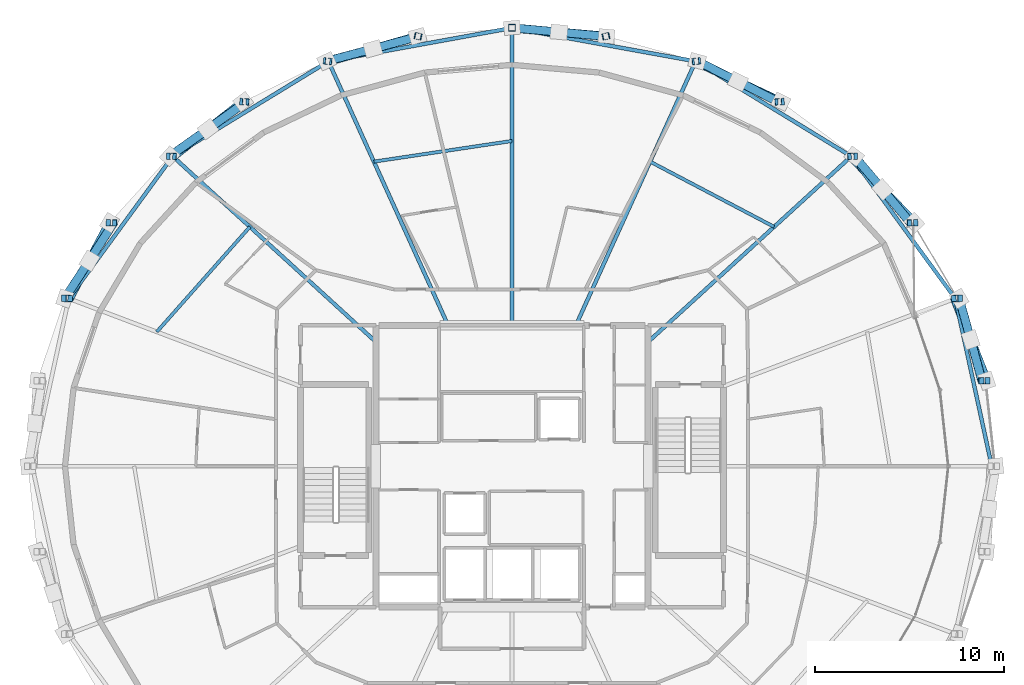
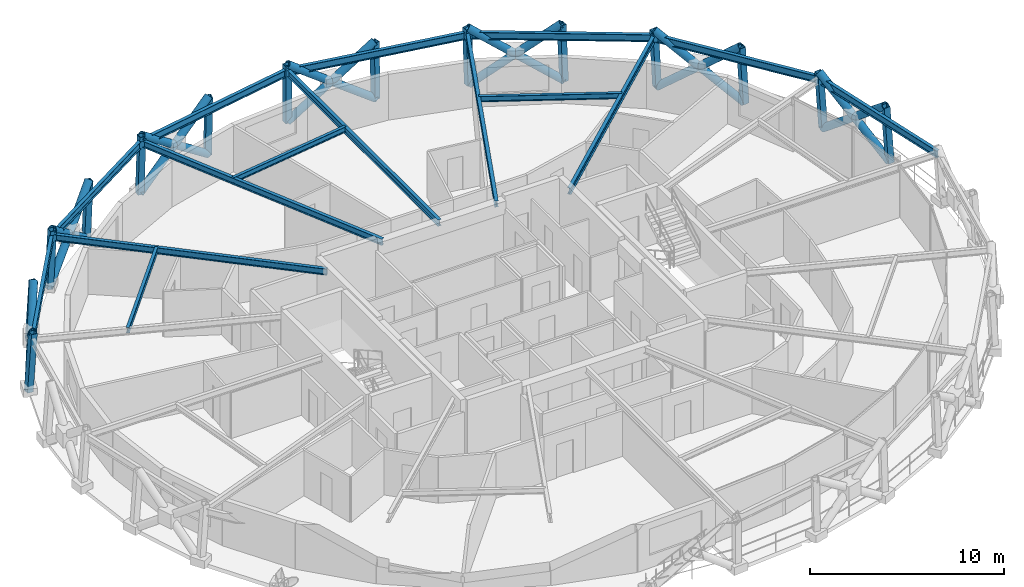
# One storey, part 10 of 17: 35 members, 15 beams.
"""IFC4 building model written with IfcOpenShell, lengths in metres."""

from ifc_helpers import new_model, si_unit, direction, frame, origin, origin_2d, place, context, subcontext, project, spatial, hollow_rectangle, hollow_circle, i_section, extrude, material, material_profile, profile_set, type_object, element, save


model = new_model("IFC4")

# Units and contexts
model_context = context("Model", 3, precision=1e-05, world=origin(), true_north=direction((0.0, 1.0)))
body_context = subcontext(model_context, "Body", "Model", "MODEL_VIEW")
ifc_project = project(units=[si_unit("LENGTHUNIT", "METRE"), si_unit("AREAUNIT", "SQUARE_METRE"), si_unit("VOLUMEUNIT", "CUBIC_METRE"), si_unit("PLANEANGLEUNIT", "RADIAN"), si_unit("MASSUNIT", "GRAM", prefix="KILO")], contexts=[model_context])

# Site, building, storey
site_placement = place(None, origin())
site = spatial("IfcSite", under=ifc_project, at=site_placement, CompositionType="ELEMENT")
building_placement = place(site_placement, origin())
building = spatial("IfcBuilding", under=site, at=building_placement, Name="Veldorina Hangang Commons", CompositionType="ELEMENT")
storey_placement = place(building_placement, frame((0.0, 0.0, 214.800048828125)))
storey = spatial("IfcBuildingStorey", under=building, at=storey_placement, Name="L55", CompositionType="ELEMENT", Elevation=214.800048828125)

# Beams
ifc_material = material(Name="Steel SM355-TMC", Category="steel")
ifc_material_profile_1 = material_profile(ifc_material, i_section(OverallWidth=0.199951171875, OverallDepth=0.39990234375, WebThickness=0.008056640625, FlangeThickness=0.012939453125, FilletRadius=0.012939453125, at=origin_2d()), Name="H-400x200x8x13")
ifc_profile_set_1 = profile_set([ifc_material_profile_1], Name="Steel SM355-TMC")
beam_type_1 = type_object("IfcBeamType", Name="BM-FG400", PredefinedType="BEAM", material=ifc_profile_set_1)
beam_1_placement = place(storey_placement, frame((39.199951171875, 30.5771484375, 3.159912109375), z_axis=(0.738333144495, 0.674436185076, 0.0), x_axis=(-0.674436185076, 0.738333144495, 0.0)))
element("IfcBeam", 1, at=beam_1_placement, inside=storey, type_object=beam_type_1, Name="L55 radial floor girder 03", PredefinedType="BEAM", context=body_context, shape_type="SweptSolid", body=[
    extrude(i_section(OverallWidth=0.199951171875, OverallDepth=0.39990234375, WebThickness=0.008056640625, FlangeThickness=0.012939453125, FilletRadius=0.012939453125, at=origin_2d()), origin(), (0.0, 0.0, 1.0), 14.538330078125),
])
beam_2_placement = place(storey_placement, frame((35.378173828125, 31.449951171875, 3.159912109375), z_axis=(0.412972032093, 0.910743707477, 0.0), x_axis=(-0.910743707477, 0.412972032093, 0.0)))
element("IfcBeam", 2, at=beam_2_placement, inside=storey, type_object=beam_type_1, Name="L55 radial floor girder 04", PredefinedType="BEAM", context=body_context, shape_type="SweptSolid", body=[
    extrude(i_section(OverallWidth=0.199951171875, OverallDepth=0.39990234375, WebThickness=0.008056640625, FlangeThickness=0.012939453125, FilletRadius=0.012939453125, at=origin_2d()), origin(), (0.0, 0.0, 1.0), 15.322265625),
])
beam_3_placement = place(storey_placement, frame((32.0, 31.449951171875, 3.159912109375), z_axis=(0.0, 1.0, 0.0), x_axis=(-1.0, 0.0, 0.0)))
element("IfcBeam", 3, at=beam_3_placement, inside=storey, type_object=beam_type_1, Name="L55 radial floor girder 05", PredefinedType="BEAM", context=body_context, shape_type="SweptSolid", body=[
    extrude(i_section(OverallWidth=0.199951171875, OverallDepth=0.39990234375, WebThickness=0.008056640625, FlangeThickness=0.012939453125, FilletRadius=0.012939453125, at=origin_2d()), origin(), (0.0, 0.0, 1.0), 15.71826171875),
])
beam_4_placement = place(storey_placement, frame((28.621826171875, 31.449951171875, 3.159912109375), z_axis=(-0.412972032093, 0.910743707477, 0.0), x_axis=(-0.910743707477, -0.412972032093, 0.0)))
element("IfcBeam", 4, at=beam_4_placement, inside=storey, type_object=beam_type_1, Name="L55 radial floor girder 06", PredefinedType="BEAM", context=body_context, shape_type="SweptSolid", body=[
    extrude(i_section(OverallWidth=0.199951171875, OverallDepth=0.39990234375, WebThickness=0.008056640625, FlangeThickness=0.012939453125, FilletRadius=0.012939453125, at=origin_2d()), origin(), (0.0, 0.0, 1.0), 15.322265625),
])
beam_5_placement = place(storey_placement, frame((24.800048828125, 30.5771484375, 3.159912109375), z_axis=(-0.738333144495, 0.674436185076, 0.0), x_axis=(-0.674436185076, -0.738333144495, 0.0)))
element("IfcBeam", 5, at=beam_5_placement, inside=storey, type_object=beam_type_1, Name="L55 radial floor girder 07", PredefinedType="BEAM", context=body_context, shape_type="SweptSolid", body=[
    extrude(i_section(OverallWidth=0.199951171875, OverallDepth=0.39990234375, WebThickness=0.008056640625, FlangeThickness=0.012939453125, FilletRadius=0.012939453125, at=origin_2d()), origin(), (0.0, 0.0, 1.0), 14.538330078125),
])
ifc_material_profile_2 = material_profile(ifc_material, i_section(OverallWidth=0.175048828125, OverallDepth=0.35009765625, WebThickness=0.007080078125, FlangeThickness=0.010986328125, FilletRadius=0.012939453125, at=origin_2d()), Name="H-350x175x7x11")
ifc_profile_set_2 = profile_set([ifc_material_profile_2], Name="Steel SM355-TMC")
beam_type_2 = type_object("IfcBeamType", Name="BM-JST350", PredefinedType="JOIST", material=ifc_profile_set_2)
beam_6_placement = place(storey_placement, frame((45.85498046875, 36.656494140625, 3.18505859375), z_axis=(-0.885141282179, 0.46532237275, 0.0), x_axis=(-0.46532237275, -0.885141282179, 0.0)))
element("IfcBeam", 6, at=beam_6_placement, inside=storey, type_object=beam_type_2, Name="L55 secondary floor joist 03", PredefinedType="JOIST", context=body_context, shape_type="SweptSolid", body=[
    extrude(i_section(OverallWidth=0.175048828125, OverallDepth=0.35009765625, WebThickness=0.007080078125, FlangeThickness=0.010986328125, FilletRadius=0.012939453125, at=origin_2d()), origin(), (0.0, 0.0, 1.0), 7.404052734375),
])
beam_7_placement = place(storey_placement, frame((32.0, 41.1953125, 3.18505859375), z_axis=(-0.988969801237, -0.148117292174, 0.0), x_axis=(0.148117292174, -0.988969801237, 0.0)))
element("IfcBeam", 7, at=beam_7_placement, inside=storey, type_object=beam_type_2, Name="L55 secondary floor joist 05", PredefinedType="JOIST", context=body_context, shape_type="SweptSolid", body=[
    extrude(i_section(OverallWidth=0.175048828125, OverallDepth=0.35009765625, WebThickness=0.007080078125, FlangeThickness=0.010986328125, FilletRadius=0.012939453125, at=origin_2d()), origin(), (0.0, 0.0, 1.0), 7.3828125),
])
beam_8_placement = place(storey_placement, frame((18.14501953125, 36.656494140625, 3.18505859375), z_axis=(-0.663311283838, -0.748343598044, 0.0), x_axis=(0.748343598044, -0.663311283838, 0.0)))
element("IfcBeam", 8, at=beam_8_placement, inside=storey, type_object=beam_type_2, Name="L55 secondary floor joist 07", PredefinedType="JOIST", context=body_context, shape_type="SweptSolid", body=[
    extrude(i_section(OverallWidth=0.175048828125, OverallDepth=0.35009765625, WebThickness=0.007080078125, FlangeThickness=0.010986328125, FilletRadius=0.012939453125, at=origin_2d()), origin(), (0.0, 0.0, 1.0), 7.4189453125),
])
ifc_material_profile_3 = material_profile(ifc_material, i_section(OverallWidth=0.199951171875, OverallDepth=0.449951171875, WebThickness=0.009033203125, FlangeThickness=0.013916015625, FilletRadius=0.01611328125, at=origin_2d()), Name="H-450x200x9x14")
ifc_profile_set_3 = profile_set([ifc_material_profile_3], Name="Steel SM355-TMC")
beam_type_3 = type_object("IfcBeamType", Name="BM-RB450", PredefinedType="BEAM", material=ifc_profile_set_3)
beam_9_placement = place(storey_placement, frame((57.362548828125, 24.0, 3.135009765625), z_axis=(-0.212769204984, 0.977102484599, 0.0), x_axis=(-0.977102484599, -0.212769204984, 0.0)))
element("IfcBeam", 9, at=beam_9_placement, inside=storey, type_object=beam_type_3, Name="L55 perimeter hoop ring beam 00", PredefinedType="BEAM", context=body_context, shape_type="SweptSolid", body=[
    extrude(i_section(OverallWidth=0.199951171875, OverallDepth=0.449951171875, WebThickness=0.009033203125, FlangeThickness=0.013916015625, FilletRadius=0.01611328125, at=origin_2d()), origin(), (0.0, 0.0, 1.0), 9.073974609375),
])
beam_10_placement = place(storey_placement, frame((55.431884765625, 32.8662109375, 3.135009765625), z_axis=(-0.590384630347, 0.807122040493, 0.0), x_axis=(-0.807122040493, -0.590384630347, 0.0)))
element("IfcBeam", 10, at=beam_10_placement, inside=storey, type_object=beam_type_3, Name="L55 perimeter hoop ring beam 02", PredefinedType="BEAM", context=body_context, shape_type="SweptSolid", body=[
    extrude(i_section(OverallWidth=0.199951171875, OverallDepth=0.449951171875, WebThickness=0.009033203125, FlangeThickness=0.013916015625, FilletRadius=0.01611328125, at=origin_2d()), origin(), (0.0, 0.0, 1.0), 9.312255859375),
])
beam_11_placement = place(storey_placement, frame((49.93408203125, 40.38232421875, 3.135009765625), z_axis=(-0.853566554162, 0.520983817039, 0.0), x_axis=(-0.520983817039, -0.853566554162, 0.0)))
element("IfcBeam", 11, at=beam_11_placement, inside=storey, type_object=beam_type_3, Name="L55 perimeter hoop ring beam 04", PredefinedType="BEAM", context=body_context, shape_type="SweptSolid", body=[
    extrude(i_section(OverallWidth=0.199951171875, OverallDepth=0.449951171875, WebThickness=0.009033203125, FlangeThickness=0.013916015625, FilletRadius=0.01611328125, at=origin_2d()), origin(), (0.0, 0.0, 1.0), 9.639892578125),
])
for number, where, z_axis, x_axis, name in (
    (12, (41.705810546875, 45.404541015625, 3.135009765625), (-0.983888120108, 0.178785254173, 0.0), (-0.178785254173, -0.983888120108, 0.0), "L55 perimeter hoop ring beam 06"),
    (13, (32.0, 47.168212890625, 3.135009765625), (-0.983888120108, -0.178785254173, 0.0), (0.178785254173, -0.983888120108, 0.0), "L55 perimeter hoop ring beam 08"),
):
    element("IfcBeam", number, at=place(storey_placement, frame(where, z_axis=z_axis, x_axis=x_axis)), inside=storey, type_object=beam_type_3, Name=name, PredefinedType="BEAM", context=body_context, shape_type="SweptSolid", body=[
        extrude(i_section(OverallWidth=0.199951171875, OverallDepth=0.449951171875, WebThickness=0.009033203125, FlangeThickness=0.013916015625, FilletRadius=0.01611328125, at=origin_2d()), origin(), (0.0, 0.0, 1.0), 9.86474609375),
    ])
beam_12_placement = place(storey_placement, frame((22.294189453125, 45.404541015625, 3.135009765625), z_axis=(-0.853566554162, -0.520983817039, 0.0), x_axis=(0.520983817039, -0.853566554162, 0.0)))
element("IfcBeam", 14, at=beam_12_placement, inside=storey, type_object=beam_type_3, Name="L55 perimeter hoop ring beam 10", PredefinedType="BEAM", context=body_context, shape_type="SweptSolid", body=[
    extrude(i_section(OverallWidth=0.199951171875, OverallDepth=0.449951171875, WebThickness=0.009033203125, FlangeThickness=0.013916015625, FilletRadius=0.01611328125, at=origin_2d()), origin(), (0.0, 0.0, 1.0), 9.639892578125),
])
beam_13_placement = place(storey_placement, frame((14.06591796875, 40.38232421875, 3.135009765625), z_axis=(-0.590384630347, -0.807122040493, 0.0), x_axis=(0.807122040493, -0.590384630347, 0.0)))
element("IfcBeam", 15, at=beam_13_placement, inside=storey, type_object=beam_type_3, Name="L55 perimeter hoop ring beam 12", PredefinedType="BEAM", context=body_context, shape_type="SweptSolid", body=[
    extrude(i_section(OverallWidth=0.199951171875, OverallDepth=0.449951171875, WebThickness=0.009033203125, FlangeThickness=0.013916015625, FilletRadius=0.01611328125, at=origin_2d()), origin(), (0.0, 0.0, 1.0), 9.312255859375),
])

# Members
ifc_material_profile_4 = material_profile(ifc_material, hollow_circle(Radius=0.22509765625, WallThickness=0.02197265625, at=origin_2d()), Name="CHS-450x22")
ifc_profile_set_4 = profile_set([ifc_material_profile_4], Name="Steel SM355-TMC")
member_type_1 = type_object("IfcMemberType", Name="DG-CHS450", PredefinedType="BRACE", material=ifc_profile_set_4)
member_1_placement = place(storey_placement, frame((57.098388671875, 28.52197265625, 0.0), z_axis=(-0.288180086964, 0.737275226801, 0.611046215456), x_axis=(-0.931379427925, -0.36404994333, 0.0)))
element("IfcMember", 16, at=member_1_placement, inside=storey, type_object=member_type_1, Name="L55 continuous perimeter diagrid brace 01", PredefinedType="BRACE", context=body_context, shape_type="SweptSolid", body=[
    extrude(hollow_circle(Radius=0.22509765625, WallThickness=0.02197265625, at=origin_2d()), origin(), (0.0, 0.0, 1.0), 5.891357421875),
])
member_2_placement = place(storey_placement, frame((55.64208984375, 32.8701171875, 0.0), z_axis=(0.210048910965, -0.752964063933, 0.623638175089), x_axis=(0.963222990017, 0.268703315019, 0.0)))
element("IfcMember", 17, at=member_2_placement, inside=storey, type_object=member_type_1, Name="L55 split perimeter diagrid lower brace 02", PredefinedType="BRACE", context=body_context, shape_type="SweptSolid", body=[
    extrude(hollow_circle(Radius=0.22509765625, WallThickness=0.02197265625, at=origin_2d()), origin(), (0.0, 0.0, 1.0), 2.888427734375),
])
member_3_placement = place(storey_placement, frame((56.248779296875, 30.6953125, 1.80126953125), z_axis=(0.205665521436, -0.754276183965, 0.62351353762), x_axis=(0.964778808985, 0.263062444551, 0.0)))
element("IfcMember", 18, at=member_3_placement, inside=storey, type_object=member_type_1, Name="L55 split perimeter diagrid upper brace 02", PredefinedType="BRACE", context=body_context, shape_type="SweptSolid", body=[
    extrude(hollow_circle(Radius=0.22509765625, WallThickness=0.02197265625, at=origin_2d()), origin(), (0.0, 0.0, 1.0), 2.884521484375),
])
member_4_placement = place(storey_placement, frame((53.27734375, 36.87744140625, 0.0), z_axis=(-0.556774773989, 0.579381638362, 0.595246812824), x_axis=(-0.721033837221, -0.692899852491, 0.0)))
element("IfcMember", 19, at=member_4_placement, inside=storey, type_object=member_type_1, Name="L55 continuous perimeter diagrid brace 03", PredefinedType="BRACE", context=body_context, shape_type="SweptSolid", body=[
    extrude(hollow_circle(Radius=0.22509765625, WallThickness=0.02197265625, at=origin_2d()), origin(), (0.0, 0.0, 1.0), 6.047607421875),
])
member_5_placement = place(storey_placement, frame((50.094970703125, 40.389892578125, 0.0), z_axis=(0.510441432549, -0.599739500869, 0.61624838745), x_axis=(0.761523824427, 0.648136918274, 0.0)))
element("IfcMember", 20, at=member_5_placement, inside=storey, type_object=member_type_1, Name="L55 split perimeter diagrid lower brace 04", PredefinedType="BRACE", context=body_context, shape_type="SweptSolid", body=[
    extrude(hollow_circle(Radius=0.22509765625, WallThickness=0.02197265625, at=origin_2d()), origin(), (0.0, 0.0, 1.0), 2.92822265625),
])
member_6_placement = place(storey_placement, frame((51.589599609375, 38.6337890625, 1.804443359375), z_axis=(0.504524636347, -0.60496047214, 0.616017628374), x_axis=(0.767977168034, 0.640477220031, 0.0)))
element("IfcMember", 21, at=member_6_placement, inside=storey, type_object=member_type_1, Name="L55 split perimeter diagrid upper brace 04", PredefinedType="BRACE", context=body_context, shape_type="SweptSolid", body=[
    extrude(hollow_circle(Radius=0.22509765625, WallThickness=0.02197265625, at=origin_2d()), origin(), (0.0, 0.0, 1.0), 2.91455078125),
])
member_7_placement = place(storey_placement, frame((46.217041015625, 43.2724609375, 0.0), z_axis=(-0.734230156767, 0.345818402043, 0.584222311884), x_axis=(-0.426097952071, -0.904677033665, 0.0)))
element("IfcMember", 22, at=member_7_placement, inside=storey, type_object=member_type_1, Name="L55 continuous perimeter diagrid brace 05", PredefinedType="BRACE", context=body_context, shape_type="SweptSolid", body=[
    extrude(hollow_circle(Radius=0.22509765625, WallThickness=0.02197265625, at=origin_2d()), origin(), (0.0, 0.0, 1.0), 6.161865234375),
])
member_8_placement = place(storey_placement, frame((41.79296875, 45.414306640625, 0.0), z_axis=(0.715565695225, -0.356362591327, 0.600808987382), x_axis=(0.445791695439, 0.895136729376, 0.0)))
element("IfcMember", 23, at=member_8_placement, inside=storey, type_object=member_type_1, Name="L55 split perimeter diagrid lower brace 06", PredefinedType="BRACE", context=body_context, shape_type="SweptSolid", body=[
    extrude(hollow_circle(Radius=0.22509765625, WallThickness=0.02197265625, at=origin_2d()), origin(), (0.0, 0.0, 1.0), 3.00830078125),
])
member_9_placement = place(storey_placement, frame((43.945556640625, 44.34228515625, 1.807373046875), z_axis=(0.712757382648, -0.361943272498, 0.600811102572), x_axis=(0.452773747594, 0.891625444618, 0.0)))
element("IfcMember", 24, at=member_9_placement, inside=storey, type_object=member_type_1, Name="L55 split perimeter diagrid upper brace 06", PredefinedType="BRACE", context=body_context, shape_type="SweptSolid", body=[
    extrude(hollow_circle(Radius=0.22509765625, WallThickness=0.02197265625, at=origin_2d()), origin(), (0.0, 0.0, 1.0), 2.9833984375),
])
member_10_placement = place(storey_placement, frame((36.992431640625, 46.7333984375, 0.0), z_axis=(-0.809122637883, 0.070232905386, 0.583427712631), x_axis=(-0.086476146057, -0.99625392153, 0.0)))
element("IfcMember", 25, at=member_10_placement, inside=storey, type_object=member_type_1, Name="L55 continuous perimeter diagrid brace 07", PredefinedType="BRACE", context=body_context, shape_type="SweptSolid", body=[
    extrude(hollow_circle(Radius=0.22509765625, WallThickness=0.02197265625, at=origin_2d()), origin(), (0.0, 0.0, 1.0), 6.170166015625),
])
member_11_placement = place(storey_placement, frame((32.0, 47.1787109375, 0.0), z_axis=(0.806067971863, -0.073855225106, 0.587196585873), x_axis=(0.091241880098, 0.995828760037, 0.0)))
element("IfcMember", 26, at=member_11_placement, inside=storey, type_object=member_type_1, Name="L55 split perimeter diagrid lower brace 08", PredefinedType="BRACE", context=body_context, shape_type="SweptSolid", body=[
    extrude(hollow_circle(Radius=0.22509765625, WallThickness=0.02197265625, at=origin_2d()), origin(), (0.0, 0.0, 1.0), 3.080810546875),
])
member_12_placement = place(storey_placement, frame((34.4833984375, 46.951171875, 1.80908203125), z_axis=(0.805954817512, -0.075248065997, 0.587175068181), x_axis=(0.0929608245, 0.995669767096, 0.0)))
element("IfcMember", 27, at=member_12_placement, inside=storey, type_object=member_type_1, Name="L55 split perimeter diagrid upper brace 08", PredefinedType="BRACE", context=body_context, shape_type="SweptSolid", body=[
    extrude(hollow_circle(Radius=0.22509765625, WallThickness=0.02197265625, at=origin_2d()), origin(), (0.0, 0.0, 1.0), 3.0498046875),
])
member_13_placement = place(storey_placement, frame((27.007568359375, 46.7333984375, 0.0), z_axis=(-0.774611053086, -0.219190828298, 0.593239493988), x_axis=(0.272277940313, -0.962218646264, 0.0)))
element("IfcMember", 28, at=member_13_placement, inside=storey, type_object=member_type_1, Name="L55 continuous perimeter diagrid brace 09", PredefinedType="BRACE", context=body_context, shape_type="SweptSolid", body=[
    extrude(hollow_circle(Radius=0.22509765625, WallThickness=0.02197265625, at=origin_2d()), origin(), (0.0, 0.0, 1.0), 6.068115234375),
])
member_14_placement = place(storey_placement, frame((22.20703125, 45.414306640625, 0.0), z_axis=(0.785407164048, 0.209599149084, 0.582412039166), x_axis=(-0.257843234966, 0.966186765684, 0.0)))
element("IfcMember", 29, at=member_14_placement, inside=storey, type_object=member_type_1, Name="L55 split perimeter diagrid lower brace 10", PredefinedType="BRACE", context=body_context, shape_type="SweptSolid", body=[
    extrude(hollow_circle(Radius=0.22509765625, WallThickness=0.02197265625, at=origin_2d()), origin(), (0.0, 0.0, 1.0), 3.10546875),
])
member_15_placement = place(storey_placement, frame((24.64599609375, 46.065185546875, 1.80859375), z_axis=(0.784393889643, 0.213442134107, 0.58238190329), x_axis=(-0.262563798046, 0.964914634543, 0.0)))
element("IfcMember", 30, at=member_15_placement, inside=storey, type_object=member_type_1, Name="L55 split perimeter diagrid upper brace 10", PredefinedType="BRACE", context=body_context, shape_type="SweptSolid", body=[
    extrude(hollow_circle(Radius=0.22509765625, WallThickness=0.02197265625, at=origin_2d()), origin(), (0.0, 0.0, 1.0), 3.07568359375),
])
member_16_placement = place(storey_placement, frame((17.782958984375, 43.2724609375, 0.0), z_axis=(-0.624637971803, -0.488990735908, 0.608864077096), x_axis=(0.616420540159, -0.787417117969, 0.0)))
element("IfcMember", 31, at=member_16_placement, inside=storey, type_object=member_type_1, Name="L55 continuous perimeter diagrid brace 11", PredefinedType="BRACE", context=body_context, shape_type="SweptSolid", body=[
    extrude(hollow_circle(Radius=0.22509765625, WallThickness=0.02197265625, at=origin_2d()), origin(), (0.0, 0.0, 1.0), 5.912353515625),
])
member_17_placement = place(storey_placement, frame((13.905029296875, 40.389892578125, 0.0), z_axis=(0.660024672571, 0.466751624991, 0.588651299298), x_axis=(-0.577386310162, 0.816471094919, 0.0)))
element("IfcMember", 32, at=member_17_placement, inside=storey, type_object=member_type_1, Name="L55 split perimeter diagrid lower brace 12", PredefinedType="BRACE", context=body_context, shape_type="SweptSolid", body=[
    extrude(hollow_circle(Radius=0.22509765625, WallThickness=0.02197265625, at=origin_2d()), origin(), (0.0, 0.0, 1.0), 3.068359375),
])
member_18_placement = place(storey_placement, frame((15.93017578125, 41.822021484375, 1.80615234375), z_axis=(0.655690159244, 0.47275717213, 0.588702871803), x_axis=(-0.584842530188, 0.811146851614, 0.0)))
element("IfcMember", 33, at=member_18_placement, inside=storey, type_object=member_type_1, Name="L55 split perimeter diagrid upper brace 12", PredefinedType="BRACE", context=body_context, shape_type="SweptSolid", body=[
    extrude(hollow_circle(Radius=0.22509765625, WallThickness=0.02197265625, at=origin_2d()), origin(), (0.0, 0.0, 1.0), 3.046875),
])
member_19_placement = place(storey_placement, frame((10.72265625, 36.87744140625, 0.0), z_axis=(-0.366503498298, -0.692509139649, 0.621374506428), x_axis=(0.883850706136, -0.467769098233, 0.0)))
element("IfcMember", 34, at=member_19_placement, inside=storey, type_object=member_type_1, Name="L55 continuous perimeter diagrid brace 13", PredefinedType="BRACE", context=body_context, shape_type="SweptSolid", body=[
    extrude(hollow_circle(Radius=0.22509765625, WallThickness=0.02197265625, at=origin_2d()), origin(), (0.0, 0.0, 1.0), 5.79345703125),
])
member_20_placement = place(storey_placement, frame((8.35791015625, 32.8701171875, 0.0), z_axis=(0.435365412363, 0.668442299791, 0.603027237833), x_axis=(-0.837940379801, 0.545761779441, 0.0)))
element("IfcMember", 35, at=member_20_placement, inside=storey, type_object=member_type_1, Name="L55 split perimeter diagrid lower brace 14", PredefinedType="BRACE", context=body_context, shape_type="SweptSolid", body=[
    extrude(hollow_circle(Radius=0.22509765625, WallThickness=0.02197265625, at=origin_2d()), origin(), (0.0, 0.0, 1.0), 2.989501953125),
])
member_21_placement = place(storey_placement, frame((9.659423828125, 34.868408203125, 1.802734375), z_axis=(0.42975817798, 0.671963168277, 0.603136310412), x_axis=(-0.842441127822, 0.538788405734, 0.0)))
element("IfcMember", 36, at=member_21_placement, inside=storey, type_object=member_type_1, Name="L55 split perimeter diagrid upper brace 14", PredefinedType="BRACE", context=body_context, shape_type="SweptSolid", body=[
    extrude(hollow_circle(Radius=0.22509765625, WallThickness=0.02197265625, at=origin_2d()), origin(), (0.0, 0.0, 1.0), 2.979736328125),
])
ifc_material_profile_5 = material_profile(ifc_material, hollow_rectangle(XDim=0.35009765625, YDim=0.35009765625, WallThickness=0.01611328125, at=origin_2d()), Name="SHS-350x350x16")
ifc_profile_set_5 = profile_set([ifc_material_profile_5], Name="Steel SM355-TMC")
member_type_2 = type_object("IfcMemberType", Name="STR-SHS350", PredefinedType="STRUT", material=ifc_profile_set_5)
member_22_placement = place(storey_placement, frame((57.098388671875, 28.52197265625, 0.0), z_axis=(-0.071030694868, -0.000676482808, 0.99747390079), x_axis=(0.009523377634, -0.999954651611, 0.0)))
element("IfcMember", 37, at=member_22_placement, inside=storey, type_object=member_type_2, Name="L55 perimeter ring node post 01", PredefinedType="STRUT", context=body_context, shape_type="SweptSolid", body=[
    extrude(hollow_rectangle(XDim=0.35009765625, YDim=0.35009765625, WallThickness=0.01611328125, at=origin_2d()), origin(), (0.0, 0.0, 1.0), 3.60888671875),
])
member_23_placement = place(storey_placement, frame((55.64208984375, 32.8701171875, 0.0), z_axis=(-0.066923158613, -0.001285682521, 0.997757304088), x_axis=(0.019207780342, -0.99981551357, 0.0)))
element("IfcMember", 38, at=member_23_placement, inside=storey, type_object=member_type_2, Name="L55 perimeter ring node post 02", PredefinedType="STRUT", context=body_context, shape_type="SweptSolid", body=[
    extrude(hollow_rectangle(XDim=0.35009765625, YDim=0.35009765625, WallThickness=0.01611328125, at=origin_2d()), origin(), (0.0, 0.0, 1.0), 3.60791015625),
])
member_24_placement = place(storey_placement, frame((53.27734375, 36.87744140625, 0.0), z_axis=(-0.060249682526, -0.00189549563, 0.998181538024), x_axis=(0.031445116227, -0.999505480058, 0.0)))
element("IfcMember", 39, at=member_24_placement, inside=storey, type_object=member_type_2, Name="L55 perimeter ring node post 03", PredefinedType="STRUT", context=body_context, shape_type="SweptSolid", body=[
    extrude(hollow_rectangle(XDim=0.35009765625, YDim=0.35009765625, WallThickness=0.01611328125, at=origin_2d()), origin(), (0.0, 0.0, 1.0), 3.6064453125),
])
member_25_placement = place(storey_placement, frame((50.094970703125, 40.389892578125, 0.0), z_axis=(-0.051271767842, -0.002370557298, 0.998681924479), x_axis=(0.046185799643, -0.998932866569, 0.0)))
element("IfcMember", 40, at=member_25_placement, inside=storey, type_object=member_type_2, Name="L55 perimeter ring node post 04", PredefinedType="STRUT", context=body_context, shape_type="SweptSolid", body=[
    extrude(hollow_rectangle(XDim=0.35009765625, YDim=0.35009765625, WallThickness=0.01611328125, at=origin_2d()), origin(), (0.0, 0.0, 1.0), 3.6044921875),
])
member_26_placement = place(storey_placement, frame((46.217041015625, 43.2724609375, 0.0), z_axis=(-0.040252038194, -0.002778339337, 0.99918569558), x_axis=(0.068859731339, -0.997626351597, 0.0)))
element("IfcMember", 41, at=member_26_placement, inside=storey, type_object=member_type_2, Name="L55 perimeter ring node post 05", PredefinedType="STRUT", context=body_context, shape_type="SweptSolid", body=[
    extrude(hollow_rectangle(XDim=0.35009765625, YDim=0.35009765625, WallThickness=0.01611328125, at=origin_2d()), origin(), (0.0, 0.0, 1.0), 3.602783203125),
])
member_27_placement = place(storey_placement, frame((41.79296875, 45.414306640625, 0.0), z_axis=(-0.027795163358, -0.003050688661, 0.99960898465), x_axis=(0.109100928002, -0.994030677348, 0.0)))
element("IfcMember", 42, at=member_27_placement, inside=storey, type_object=member_type_2, Name="L55 perimeter ring node post 06", PredefinedType="STRUT", context=body_context, shape_type="SweptSolid", body=[
    extrude(hollow_rectangle(XDim=0.35009765625, YDim=0.35009765625, WallThickness=0.01611328125, at=origin_2d()), origin(), (0.0, 0.0, 1.0), 3.601318359375),
])
member_28_placement = place(storey_placement, frame((36.992431640625, 46.7333984375, 0.0), z_axis=(-0.014172797621, -0.003254996583, 0.999894262812), x_axis=(0.223837652223, -0.974626444053, 0.0)))
element("IfcMember", 43, at=member_28_placement, inside=storey, type_object=member_type_2, Name="L55 perimeter ring node post 07", PredefinedType="STRUT", context=body_context, shape_type="SweptSolid", body=[
    extrude(hollow_rectangle(XDim=0.35009765625, YDim=0.35009765625, WallThickness=0.01611328125, at=origin_2d()), origin(), (0.0, 0.0, 1.0), 3.600341796875),
])
member_29_placement = place(storey_placement, frame((32.0, 47.1787109375, 0.0), z_axis=(0.0, -0.003323142044, 0.999994478348), x_axis=(1.0, 0.0, 0.0)))
element("IfcMember", 44, at=member_29_placement, inside=storey, type_object=member_type_2, Name="L55 perimeter ring node post 08", PredefinedType="STRUT", context=body_context, shape_type="SweptSolid", body=[
    extrude(hollow_rectangle(XDim=0.35009765625, YDim=0.35009765625, WallThickness=0.01611328125, at=origin_2d()), origin(), (0.0, 0.0, 1.0), 3.599853515625),
])
member_30_placement = place(storey_placement, frame((27.007568359375, 46.7333984375, 0.0), z_axis=(0.014172797621, -0.003254996583, 0.999894262812), x_axis=(0.223837652223, 0.974626444053, 0.0)))
element("IfcMember", 45, at=member_30_placement, inside=storey, type_object=member_type_2, Name="L55 perimeter ring node post 09", PredefinedType="STRUT", context=body_context, shape_type="SweptSolid", body=[
    extrude(hollow_rectangle(XDim=0.35009765625, YDim=0.35009765625, WallThickness=0.01611328125, at=origin_2d()), origin(), (0.0, 0.0, 1.0), 3.600341796875),
])
member_31_placement = place(storey_placement, frame((22.20703125, 45.414306640625, 0.0), z_axis=(0.027795163358, -0.003050688661, 0.99960898465), x_axis=(0.109100928002, 0.994030677348, 0.0)))
element("IfcMember", 46, at=member_31_placement, inside=storey, type_object=member_type_2, Name="L55 perimeter ring node post 10", PredefinedType="STRUT", context=body_context, shape_type="SweptSolid", body=[
    extrude(hollow_rectangle(XDim=0.35009765625, YDim=0.35009765625, WallThickness=0.01611328125, at=origin_2d()), origin(), (0.0, 0.0, 1.0), 3.601318359375),
])
member_32_placement = place(storey_placement, frame((17.782958984375, 43.2724609375, 0.0), z_axis=(0.040252038194, -0.002778339337, 0.99918569558), x_axis=(0.068859731339, 0.997626351597, 0.0)))
element("IfcMember", 47, at=member_32_placement, inside=storey, type_object=member_type_2, Name="L55 perimeter ring node post 11", PredefinedType="STRUT", context=body_context, shape_type="SweptSolid", body=[
    extrude(hollow_rectangle(XDim=0.35009765625, YDim=0.35009765625, WallThickness=0.01611328125, at=origin_2d()), origin(), (0.0, 0.0, 1.0), 3.602783203125),
])
member_33_placement = place(storey_placement, frame((13.905029296875, 40.389892578125, 0.0), z_axis=(0.051271767842, -0.002370557298, 0.998681924479), x_axis=(0.046185799643, 0.998932866569, 0.0)))
element("IfcMember", 48, at=member_33_placement, inside=storey, type_object=member_type_2, Name="L55 perimeter ring node post 12", PredefinedType="STRUT", context=body_context, shape_type="SweptSolid", body=[
    extrude(hollow_rectangle(XDim=0.35009765625, YDim=0.35009765625, WallThickness=0.01611328125, at=origin_2d()), origin(), (0.0, 0.0, 1.0), 3.6044921875),
])
member_34_placement = place(storey_placement, frame((10.72265625, 36.87744140625, 0.0), z_axis=(0.060249682526, -0.00189549563, 0.998181538024), x_axis=(0.031445116227, 0.999505480058, 0.0)))
element("IfcMember", 49, at=member_34_placement, inside=storey, type_object=member_type_2, Name="L55 perimeter ring node post 13", PredefinedType="STRUT", context=body_context, shape_type="SweptSolid", body=[
    extrude(hollow_rectangle(XDim=0.35009765625, YDim=0.35009765625, WallThickness=0.01611328125, at=origin_2d()), origin(), (0.0, 0.0, 1.0), 3.6064453125),
])
member_35_placement = place(storey_placement, frame((8.35791015625, 32.8701171875, 0.0), z_axis=(0.066923158613, -0.001285682521, 0.997757304088), x_axis=(0.019207780342, 0.99981551357, 0.0)))
element("IfcMember", 50, at=member_35_placement, inside=storey, type_object=member_type_2, Name="L55 perimeter ring node post 14", PredefinedType="STRUT", context=body_context, shape_type="SweptSolid", body=[
    extrude(hollow_rectangle(XDim=0.35009765625, YDim=0.35009765625, WallThickness=0.01611328125, at=origin_2d()), origin(), (0.0, 0.0, 1.0), 3.60791015625),
])

save(model, "model.ifc")
